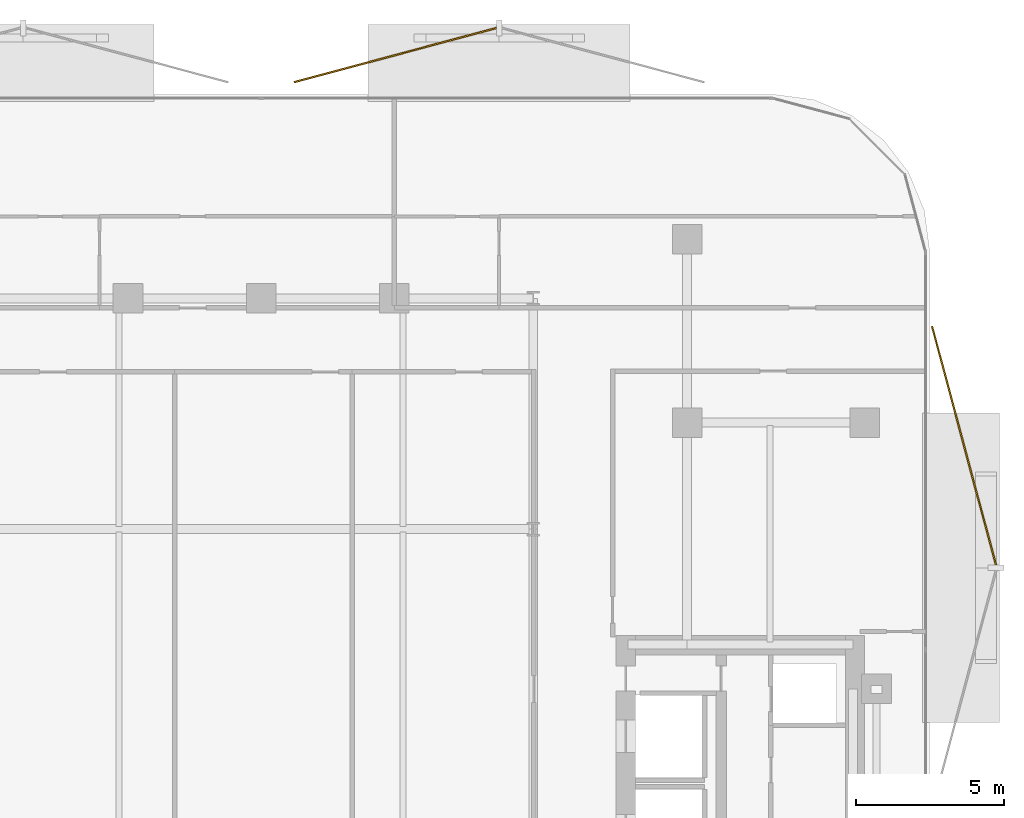
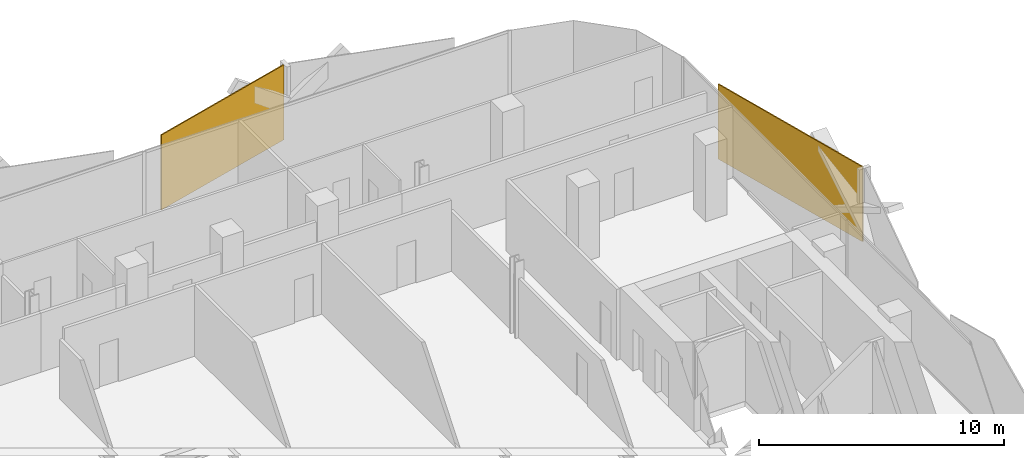
# One storey, part 16 of 16: 2 coverings.
"""IFC4 building model written with IfcOpenShell, lengths in metres."""

import ifcopenshell
import ifcopenshell.guid

model = None  # the IFC model being written
_history = None  # IfcOwnerHistory: only IFC2X3 demands one
_inside = {}  # id of a spatial element -> (the spatial element, [elements in it])
_under = {}  # id of a project, library or spatial element -> (it, [spatial elements below it])
_declared = {}  # id of a project -> (the project, [libraries it declares])
_typed = {}  # id of a type object -> (the type object, [elements of that type])
_made_of = {}  # id of a material, layer set ... -> (it, [elements and type objects made of it])


def new_model(schema):
    """Start an empty IFC model of exactly this schema.

    Asked for "IFC4X3", IfcOpenShell would pick the latest addendum, in which some entities
    have other attributes; the version numbers below select the first issue.
    IFC2X3 requires an IfcOwnerHistory on every rooted entity: one is made here for all.
    """
    global model, _history
    if schema == "IFC4X3":
        model = ifcopenshell.file(schema_version=(4, 3, 0, 0))
    else:
        model = ifcopenshell.file(schema=schema)
    _inside.clear()
    _under.clear()
    _declared.clear()
    _typed.clear()
    _made_of.clear()
    _history = None
    if model.schema == "IFC2X3":
        org = make("IfcOrganization", Name="unknown")
        user = make(
            "IfcPersonAndOrganization",
            ThePerson=make("IfcPerson", FamilyName="unknown"),
            TheOrganization=org,
        )
        app = make(
            "IfcApplication",
            ApplicationDeveloper=org,
            Version="unknown",
            ApplicationFullName="unknown",
            ApplicationIdentifier="unknown",
        )
        _history = make(
            "IfcOwnerHistory",
            OwningUser=user,
            OwningApplication=app,
            ChangeAction="ADDED",
            CreationDate=0,
        )
    return model


def make(cls, **values):
    """One entity of the class cls with the attributes given. An attribute that is None is left unset."""
    return model.create_entity(
        cls, **{name: value for name, value in values.items() if value is not None}
    )


def rooted(cls, **values):
    """An entity with a GlobalId (a new one), such as an element, a storey or a relation."""
    return make(cls, GlobalId=ifcopenshell.guid.new(), OwnerHistory=_history, **values)


def si_unit(unit_type, name, prefix=None):
    """IfcSIUnit, for example si_unit("LENGTHUNIT", "METRE", prefix="MILLI")."""
    return make("IfcSIUnit", UnitType=unit_type, Prefix=prefix, Name=name)


def assignment(units):
    """IfcUnitAssignment: the units of a project."""
    return None if units is None else make("IfcUnitAssignment", Units=units)


def point(xyz):
    """IfcCartesianPoint."""
    return None if xyz is None else make("IfcCartesianPoint", Coordinates=xyz)


def direction(xyz):
    """IfcDirection."""
    return None if xyz is None else make("IfcDirection", DirectionRatios=xyz)


def frame(location, z_axis=None, x_axis=None):
    """IfcAxis2Placement3D, a coordinate frame: its origin and axes. An axis left out is left unset."""
    return make(
        "IfcAxis2Placement3D",
        Location=point(location),
        Axis=direction(z_axis),
        RefDirection=direction(x_axis),
    )


def frame_2d(location, x_axis=None):
    """IfcAxis2Placement2D, a coordinate frame in the plane: its origin and x axis."""
    return make(
        "IfcAxis2Placement2D", Location=point(location), RefDirection=direction(x_axis)
    )


def origin():
    """The frame at (0, 0, 0) with its axes left unset."""
    return frame((0.0, 0.0, 0.0))


def origin_2d():
    """The frame at (0, 0) in the plane with its x axis left unset."""
    return frame_2d((0.0, 0.0))


def place(relative_to, where):
    """IfcLocalPlacement: puts the frame where relative to a parent placement (None: the world)."""
    return make(
        "IfcLocalPlacement", PlacementRelTo=relative_to, RelativePlacement=where
    )


def context(
    kind, dimensions, precision=None, world=None, true_north=None, identifier=None
):
    """IfcGeometricRepresentationContext, for example the 3D "Model" context."""
    return make(
        "IfcGeometricRepresentationContext",
        ContextIdentifier=identifier,
        ContextType=kind,
        CoordinateSpaceDimension=dimensions,
        Precision=precision,
        WorldCoordinateSystem=world,
        TrueNorth=true_north,
    )


def subcontext(parent, identifier, kind, view, scale=None):
    """IfcGeometricRepresentationSubContext, for example "Body" below "Model"."""
    return make(
        "IfcGeometricRepresentationSubContext",
        ContextIdentifier=identifier,
        ContextType=kind,
        ParentContext=parent,
        TargetScale=scale,
        TargetView=view,
    )


def project(units=None, contexts=None):
    """IfcProject with its units and contexts."""
    return rooted(
        "IfcProject",
        Name="project",
        RepresentationContexts=contexts,
        UnitsInContext=assignment(units),
    )


def spatial(cls, under=None, at=None, **own):
    """A site, building, storey or space (cls), placed at a placement, below another one or the project."""
    s = rooted(cls, ObjectPlacement=at, **own)
    if under is not None:
        _under.setdefault(under.id(), (under, []))[1].append(s)
    return s


def profile(cls, at=None, kind="AREA", **sizes):
    """A parametric profile (cls). Its sizes go by their IFC names, for example OverallWidth=200.0."""
    return make(cls, ProfileType=kind, Position=at, **sizes)


def rectangle(**sizes):
    """IfcRectangleProfileDef."""
    return profile("IfcRectangleProfileDef", **sizes)


def extrude(swept, where, along, depth):
    """IfcExtrudedAreaSolid: the profile swept, set in the frame where, extruded along a direction by depth."""
    return make(
        "IfcExtrudedAreaSolid",
        SweptArea=swept,
        Position=where,
        ExtrudedDirection=direction(along),
        Depth=depth,
    )


def shape(context_of_items, identifier, shape_type, items):
    """IfcShapeRepresentation: the items that make up one representation, for example the "Body"."""
    return make(
        "IfcShapeRepresentation",
        ContextOfItems=context_of_items,
        RepresentationIdentifier=identifier,
        RepresentationType=shape_type,
        Items=items,
    )


def material(Name=None, Category=None):
    """IfcMaterial."""
    return make("IfcMaterial", Name=Name, Category=Category)


def layer(
    of_material, thickness, ventilated=None, Name=None, Category=None, Priority=None
):
    """IfcMaterialLayer: one layer of a wall or slab, of a material (None: an air gap)."""
    return make(
        "IfcMaterialLayer",
        Material=of_material,
        LayerThickness=thickness,
        IsVentilated=ventilated,
        Name=Name,
        Category=Category,
        Priority=Priority,
    )


def layer_set(layers, Name=None):
    """IfcMaterialLayerSet."""
    return make("IfcMaterialLayerSet", MaterialLayers=layers, LayerSetName=Name)


def made_of(thing, what):
    """Note that an element or type object is made of a material, layer set ...; save() writes the relation."""
    if what is not None:
        _made_of.setdefault(what.id(), (what, []))[1].append(thing)
    return thing


def type_object(cls, material=None, **own):
    """A type object (cls), such as IfcWallType, which elements share."""
    return made_of(rooted(cls, **own), material)


def element(
    cls,
    number,
    at=None,
    inside=None,
    cuts=None,
    type_object=None,
    material=None,
    context=None,
    identifier="Body",
    shape_type=None,
    held_by="IfcProductDefinitionShape",
    body=None,
    shapes=None,
    **own,
):
    """One element of the class cls, such as IfcWall. Its Tag is "e" and its number.

    at: its placement. inside: the storey or other place that contains it. cuts: it is an
    opening in that element (IfcRelVoidsElement). A single representation is given by context,
    identifier, shape_type and body (its items); several are given by shapes. held_by: the class
    of the entity that holds the representations. save() writes the other relations.
    """
    e = rooted(cls, Tag="e%d" % number, ObjectPlacement=at, **own)
    if body is not None:
        shapes = [shape(context, identifier, shape_type, body)]
    if shapes is not None:
        e.Representation = make(held_by, Representations=shapes)
    if inside is not None:
        _inside.setdefault(inside.id(), (inside, []))[1].append(e)
    if cuts is not None:
        rooted(
            "IfcRelVoidsElement", RelatingBuildingElement=cuts, RelatedOpeningElement=e
        )
    if type_object is not None:
        _typed.setdefault(type_object.id(), (type_object, []))[1].append(e)
    return made_of(e, material)


def aggregate(whole, parts):
    """IfcRelAggregates: a whole, such as a stair, and the parts it consists of."""
    return rooted("IfcRelAggregates", RelatingObject=whole, RelatedObjects=parts)


def save(model, path):
    """Write the relations noted so far, then the file.

    IfcRelAggregates (storeys below a building ...), IfcRelContainedInSpatialStructure (elements
    in a storey), IfcRelDefinesByType, IfcRelAssociatesMaterial and IfcRelDeclares: one each for
    every whole, place, type object, material and project.
    """
    for whole, parts in _under.values():
        aggregate(whole, parts)
    for where, things in _inside.values():
        rooted(
            "IfcRelContainedInSpatialStructure",
            RelatedElements=things,
            RelatingStructure=where,
        )
    for kind, things in _typed.values():
        rooted("IfcRelDefinesByType", RelatedObjects=things, RelatingType=kind)
    for what, things in _made_of.values():
        rooted("IfcRelAssociatesMaterial", RelatedObjects=things, RelatingMaterial=what)
    for by, libraries in _declared.values():
        rooted("IfcRelDeclares", RelatingContext=by, RelatedDefinitions=libraries)
    model.write(path)


model = new_model("IFC4")

# Units and contexts
model_context = context("Model", 3, precision=1e-05, world=origin(), true_north=direction((0.0, 1.0)))
body_context = subcontext(model_context, "Body", "Model", "MODEL_VIEW")
ifc_project = project(units=[si_unit("LENGTHUNIT", "METRE"), si_unit("AREAUNIT", "SQUARE_METRE"), si_unit("VOLUMEUNIT", "CUBIC_METRE"), si_unit("PLANEANGLEUNIT", "RADIAN"), si_unit("MASSUNIT", "GRAM", prefix="KILO")], contexts=[model_context])

# Site, building, storey
site_placement = place(None, origin())
site = spatial("IfcSite", under=ifc_project, at=site_placement, CompositionType="ELEMENT")
building_placement = place(site_placement, origin())
building = spatial("IfcBuilding", under=site, at=building_placement, Name="Khairoan Windgate Tower", CompositionType="ELEMENT")
storey_placement = place(building_placement, frame((0.0, 0.0, 187.800048828125)))
storey = spatial("IfcBuildingStorey", under=building, at=storey_placement, Name="L43", CompositionType="ELEMENT", Elevation=187.800048828125)

# Coverings
ifc_material = material(Name="Anodised Bronze Aluminium 6063-T6", Category="aluminium")
ifc_layer = layer(ifc_material, 0.054931640625, Name="Anodised Bronze Aluminium 6063-T6")
ifc_layer_set = layer_set([ifc_layer], Name="Anodised Bronze Aluminium 6063-T6")
covering_type = type_object("IfcCoveringType", Name="Perforated Bronze-Ceramic Folded Solar Screen Cladding BSC-1", PredefinedType="CLADDING", material=ifc_layer_set)
covering_1_placement = place(storey_placement, frame((4.535888671875, 26.82373046875, -0.10009765625), z_axis=(0.0, 0.0, 1.0), x_axis=(0.965925826289, 0.258819045103, 0.0)))
element("IfcCovering", 1, at=covering_1_placement, inside=storey, type_object=covering_type, Name="L43 Folded Bronze Solar Screen Facet 286L", PredefinedType="CLADDING", context=body_context, shape_type="SweptSolid", body=[
    extrude(rectangle(XDim=7.080078125, YDim=0.054931640625, at=origin_2d()), origin(), (0.0, 0.0, 1.0), 3.739990234375),
])
covering_2_placement = place(storey_placement, frame((23.7587890625, 13.62109375, -0.10009765625), z_axis=(0.0, 0.0, 1.0), x_axis=(0.258819045103, -0.965925826289, 0.0)))
element("IfcCovering", 2, at=covering_2_placement, inside=storey, type_object=covering_type, Name="L43 Folded Bronze Solar Screen Facet 287L", PredefinedType="CLADDING", context=body_context, shape_type="SweptSolid", body=[
    extrude(rectangle(XDim=8.35595703125, YDim=0.054931640625, at=origin_2d()), origin(), (0.0, 0.0, 1.0), 3.739990234375),
])

save(model, "model.ifc")
